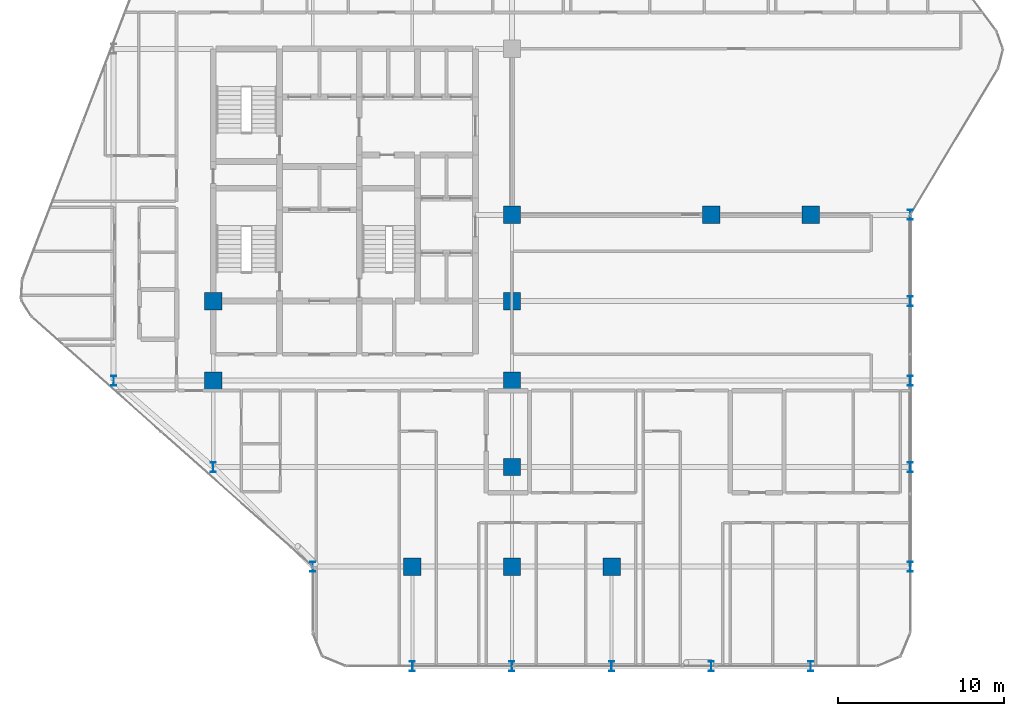
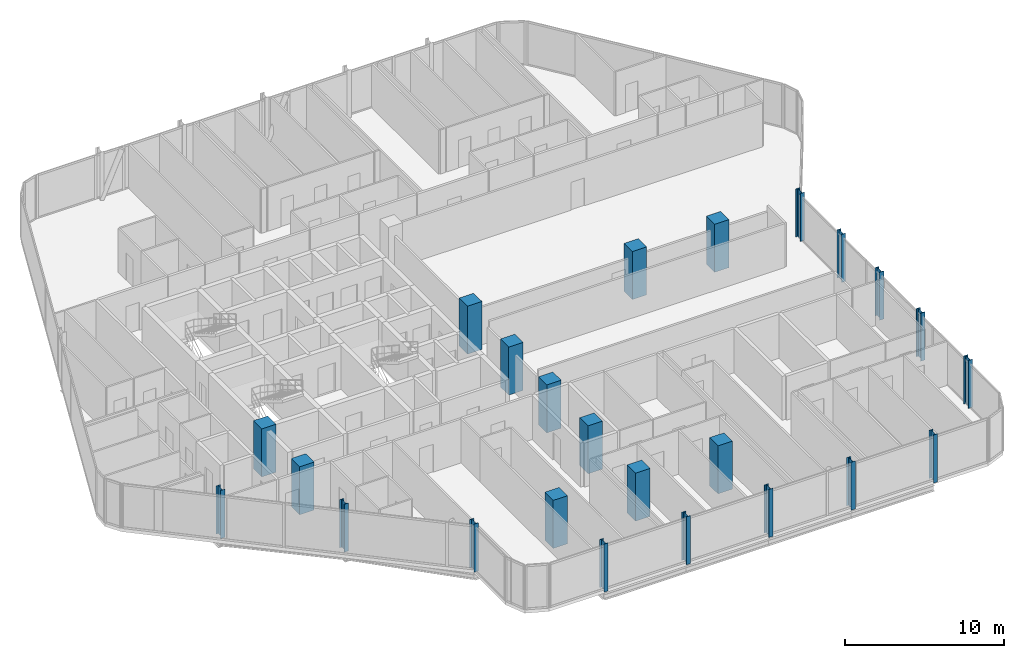
# One storey, part 1 of 29: 24 columns.
"""IFC4 building model written with IfcOpenShell, lengths in metres."""

from ifc_helpers import new_model, si_unit, direction, frame, origin, origin_2d, place, context, subcontext, project, spatial, rectangle, i_section, extrude, material, material_profile, profile_set, type_object, element, save


model = new_model("IFC4")

# Units and contexts
model_context = context("Model", 3, precision=1e-05, world=origin(), true_north=direction((0.0, 1.0)))
body_context = subcontext(model_context, "Body", "Model", "MODEL_VIEW")
ifc_project = project(units=[si_unit("LENGTHUNIT", "METRE"), si_unit("AREAUNIT", "SQUARE_METRE"), si_unit("VOLUMEUNIT", "CUBIC_METRE"), si_unit("PLANEANGLEUNIT", "RADIAN"), si_unit("MASSUNIT", "GRAM", prefix="KILO")], contexts=[model_context])

# Site, building, storey
site_placement = place(None, origin())
site = spatial("IfcSite", under=ifc_project, at=site_placement, CompositionType="ELEMENT")
building_placement = place(site_placement, origin())
building = spatial("IfcBuilding", under=site, at=building_placement, Name="Keshet Zoharim Tower", CompositionType="ELEMENT")
storey_placement = place(building_placement, frame((0.0, 0.0, 105.699951171875)))
storey = spatial("IfcBuildingStorey", under=building, at=storey_placement, Name="L25", CompositionType="ELEMENT", Elevation=105.699951171875)

# Columns
ifc_material_1 = material(Name="Steel S355", Category="steel")
ifc_material_profile_1 = material_profile(ifc_material_1, i_section(OverallWidth=0.300048828125, OverallDepth=0.60009765625, WebThickness=0.015380859375, FlangeThickness=0.030029296875, FilletRadius=0.027099609375, at=origin_2d()), Name="HEB600")
ifc_profile_set_1 = profile_set([ifc_material_profile_1], Name="Steel S355")
column_type_1 = type_object("IfcColumnType", Name="COL-HEB600", PredefinedType="COLUMN", material=ifc_profile_set_1)
for number, where, z_axis, x_axis, name in (
    (1, (9.0, 17.89990234375, 0.0), (0.0, 0.0, 1.0), (1.0, 0.0, 0.0), "L25 Column 2D"),
    (2, (15.0, 12.699951171875, 0.0), (0.0, 0.0, 1.0), (1.0, 0.0, 0.0), "L25 Column 3C"),
    (3, (21.0, 6.699951171875, 0.0), (0.0, 0.0, 1.0), (1.0, 0.0, 0.0), "L25 Column 4B"),
    (4, (27.0, 0.699951171875, 0.0), (0.0, 0.0, 1.0), (1.0, 0.0, 0.0), "L25 Column 5A"),
    (5, (33.0, 0.699951171875, 0.0), (0.0, 0.0, 1.0), (1.0, 0.0, 0.0), "L25 Column 6A"),
    (6, (39.0, 0.699951171875, 0.0), (0.0, 0.0, 1.0), (1.0, 0.0, 0.0), "L25 Column 7A"),
    (7, (45.0, 0.699951171875, 0.0), (0.0, 0.0, 1.0), (1.0, 0.0, 0.0), "L25 Column 8A"),
    (8, (51.0, 0.699951171875, 0.0), (0.0, 0.0, 1.0), (1.0, 0.0, 0.0), "L25 Column 9A"),
    (9, (57.0, 6.699951171875, 0.0), (0.0, 0.0, 1.0), (1.0, 0.0, 0.0), "L25 Column 10B"),
    (10, (57.0, 12.699951171875, 0.0), (0.0, 0.0, 1.0), (1.0, 0.0, 0.0), "L25 Column 10C"),
    (11, (57.0, 17.89990234375, 0.0), (0.0, 0.0, 1.0), (1.0, 0.0, 0.0), "L25 Column 10D"),
    (12, (57.0, 22.699951171875, 0.0), (0.0, 0.0, 1.0), (1.0, 0.0, 0.0), "L25 Column 10E"),
    (13, (57.0, 27.89990234375, 0.0), (0.0, 0.0, 1.0), (1.0, 0.0, 0.0), "L25 Column 10F"),
):
    element("IfcColumn", number, at=place(storey_placement, frame(where, z_axis=z_axis, x_axis=x_axis)), inside=storey, type_object=column_type_1, Name=name, PredefinedType="COLUMN", context=body_context, shape_type="SweptSolid", body=[
        extrude(i_section(OverallWidth=0.300048828125, OverallDepth=0.60009765625, WebThickness=0.015380859375, FlangeThickness=0.030029296875, FilletRadius=0.027099609375, at=origin_2d()), origin(), (0.0, 0.0, 1.0), 3.699951171875),
    ])
ifc_material_2 = material(Name="Concrete C60/75", Category="concrete")
ifc_material_profile_2 = material_profile(ifc_material_2, rectangle(XDim=1.050048828125, YDim=1.050048828125, at=origin_2d()), Name="RC1050x1050")
ifc_profile_set_2 = profile_set([ifc_material_profile_2], Name="Concrete C60/75")
column_type_2 = type_object("IfcColumnType", Name="COL-RC1050", PredefinedType="COLUMN", material=ifc_profile_set_2)
for number, where, z_axis, x_axis, name in (
    (14, (15.0, 17.89990234375, 0.0), (0.0, 0.0, 1.0), (1.0, 0.0, 0.0), "L25 Column 3D"),
    (15, (15.0, 22.699951171875, 0.0), (0.0, 0.0, 1.0), (1.0, 0.0, 0.0), "L25 Column 3E"),
    (16, (27.0, 6.699951171875, 0.0), (0.0, 0.0, 1.0), (1.0, 0.0, 0.0), "L25 Column 5B"),
    (17, (33.0, 6.699951171875, 0.0), (0.0, 0.0, 1.0), (1.0, 0.0, 0.0), "L25 Column 6B"),
    (18, (33.0, 12.699951171875, 0.0), (0.0, 0.0, 1.0), (1.0, 0.0, 0.0), "L25 Column 6C"),
    (19, (33.0, 17.89990234375, 0.0), (0.0, 0.0, 1.0), (1.0, 0.0, 0.0), "L25 Column 6D"),
    (20, (33.0, 22.699951171875, 0.0), (0.0, 0.0, 1.0), (1.0, 0.0, 0.0), "L25 Column 6E"),
    (21, (33.0, 27.89990234375, 0.0), (0.0, 0.0, 1.0), (1.0, 0.0, 0.0), "L25 Column 6F"),
    (22, (39.0, 6.699951171875, 0.0), (0.0, 0.0, 1.0), (1.0, 0.0, 0.0), "L25 Column 7B"),
    (23, (45.0, 27.89990234375, 0.0), (0.0, 0.0, 1.0), (1.0, 0.0, 0.0), "L25 Column 8F"),
    (24, (51.0, 27.89990234375, 0.0), (0.0, 0.0, 1.0), (1.0, 0.0, 0.0), "L25 Column 9F"),
):
    element("IfcColumn", number, at=place(storey_placement, frame(where, z_axis=z_axis, x_axis=x_axis)), inside=storey, type_object=column_type_2, Name=name, PredefinedType="COLUMN", context=body_context, shape_type="SweptSolid", body=[
        extrude(rectangle(XDim=1.050048828125, YDim=1.050048828125, at=origin_2d()), origin(), (0.0, 0.0, 1.0), 3.699951171875),
    ])

save(model, "model.ifc")
